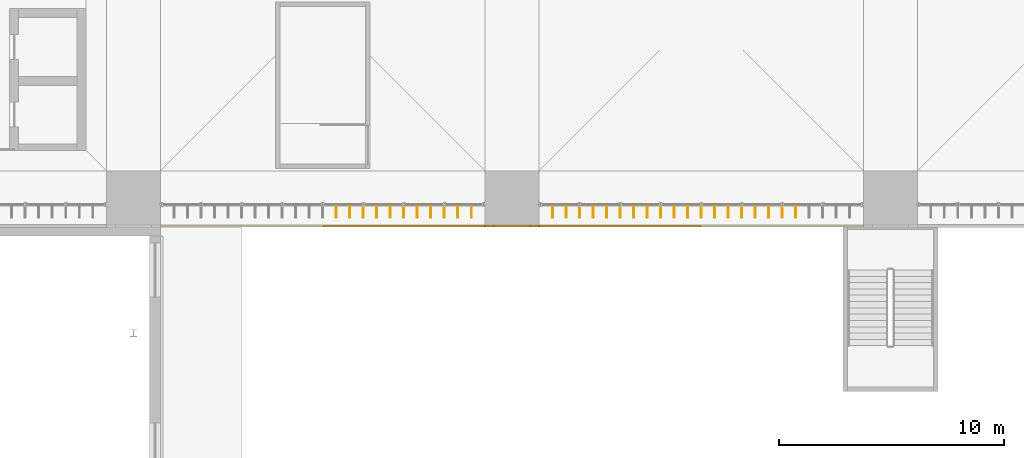
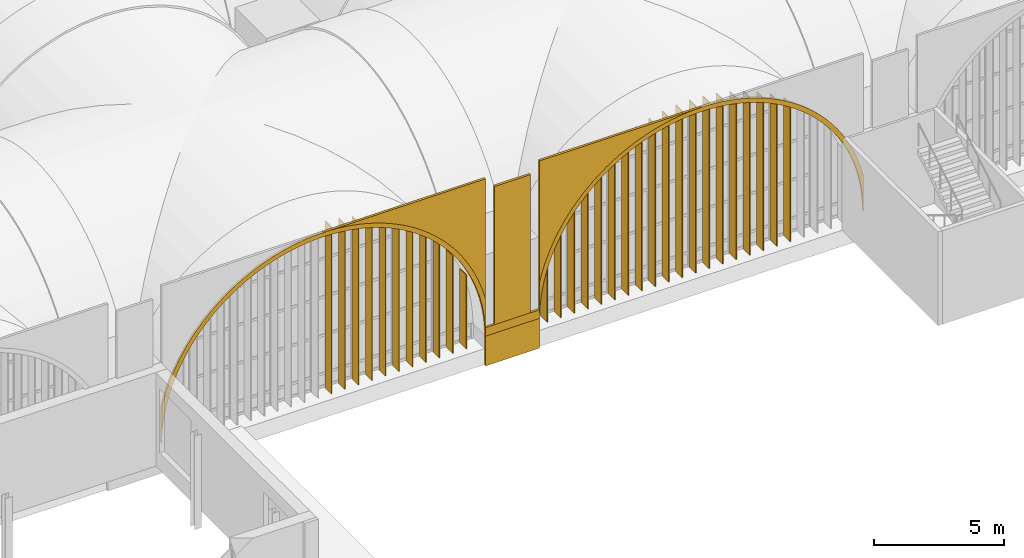
# One storey, part 155 of 169: 30 shading devices, 7 coverings.
"""IFC4 building model written with IfcOpenShell, lengths in metres."""

import ifcopenshell
import ifcopenshell.guid

model = None  # the IFC model being written
_history = None  # IfcOwnerHistory: only IFC2X3 demands one
_inside = {}  # id of a spatial element -> (the spatial element, [elements in it])
_under = {}  # id of a project, library or spatial element -> (it, [spatial elements below it])
_declared = {}  # id of a project -> (the project, [libraries it declares])
_typed = {}  # id of a type object -> (the type object, [elements of that type])
_made_of = {}  # id of a material, layer set ... -> (it, [elements and type objects made of it])


def new_model(schema):
    """Start an empty IFC model of exactly this schema.

    Asked for "IFC4X3", IfcOpenShell would pick the latest addendum, in which some entities
    have other attributes; the version numbers below select the first issue.
    IFC2X3 requires an IfcOwnerHistory on every rooted entity: one is made here for all.
    """
    global model, _history
    if schema == "IFC4X3":
        model = ifcopenshell.file(schema_version=(4, 3, 0, 0))
    else:
        model = ifcopenshell.file(schema=schema)
    _inside.clear()
    _under.clear()
    _declared.clear()
    _typed.clear()
    _made_of.clear()
    _history = None
    if model.schema == "IFC2X3":
        org = make("IfcOrganization", Name="unknown")
        user = make(
            "IfcPersonAndOrganization",
            ThePerson=make("IfcPerson", FamilyName="unknown"),
            TheOrganization=org,
        )
        app = make(
            "IfcApplication",
            ApplicationDeveloper=org,
            Version="unknown",
            ApplicationFullName="unknown",
            ApplicationIdentifier="unknown",
        )
        _history = make(
            "IfcOwnerHistory",
            OwningUser=user,
            OwningApplication=app,
            ChangeAction="ADDED",
            CreationDate=0,
        )
    return model


def make(cls, **values):
    """One entity of the class cls with the attributes given. An attribute that is None is left unset."""
    return model.create_entity(
        cls, **{name: value for name, value in values.items() if value is not None}
    )


def rooted(cls, **values):
    """An entity with a GlobalId (a new one), such as an element, a storey or a relation."""
    return make(cls, GlobalId=ifcopenshell.guid.new(), OwnerHistory=_history, **values)


def si_unit(unit_type, name, prefix=None):
    """IfcSIUnit, for example si_unit("LENGTHUNIT", "METRE", prefix="MILLI")."""
    return make("IfcSIUnit", UnitType=unit_type, Prefix=prefix, Name=name)


def assignment(units):
    """IfcUnitAssignment: the units of a project."""
    return None if units is None else make("IfcUnitAssignment", Units=units)


def point(xyz):
    """IfcCartesianPoint."""
    return None if xyz is None else make("IfcCartesianPoint", Coordinates=xyz)


def direction(xyz):
    """IfcDirection."""
    return None if xyz is None else make("IfcDirection", DirectionRatios=xyz)


def frame(location, z_axis=None, x_axis=None):
    """IfcAxis2Placement3D, a coordinate frame: its origin and axes. An axis left out is left unset."""
    return make(
        "IfcAxis2Placement3D",
        Location=point(location),
        Axis=direction(z_axis),
        RefDirection=direction(x_axis),
    )


def frame_2d(location, x_axis=None):
    """IfcAxis2Placement2D, a coordinate frame in the plane: its origin and x axis."""
    return make(
        "IfcAxis2Placement2D", Location=point(location), RefDirection=direction(x_axis)
    )


def origin():
    """The frame at (0, 0, 0) with its axes left unset."""
    return frame((0.0, 0.0, 0.0))


def origin_2d():
    """The frame at (0, 0) in the plane with its x axis left unset."""
    return frame_2d((0.0, 0.0))


def place(relative_to, where):
    """IfcLocalPlacement: puts the frame where relative to a parent placement (None: the world)."""
    return make(
        "IfcLocalPlacement", PlacementRelTo=relative_to, RelativePlacement=where
    )


def context(
    kind, dimensions, precision=None, world=None, true_north=None, identifier=None
):
    """IfcGeometricRepresentationContext, for example the 3D "Model" context."""
    return make(
        "IfcGeometricRepresentationContext",
        ContextIdentifier=identifier,
        ContextType=kind,
        CoordinateSpaceDimension=dimensions,
        Precision=precision,
        WorldCoordinateSystem=world,
        TrueNorth=true_north,
    )


def subcontext(parent, identifier, kind, view, scale=None):
    """IfcGeometricRepresentationSubContext, for example "Body" below "Model"."""
    return make(
        "IfcGeometricRepresentationSubContext",
        ContextIdentifier=identifier,
        ContextType=kind,
        ParentContext=parent,
        TargetScale=scale,
        TargetView=view,
    )


def project(units=None, contexts=None):
    """IfcProject with its units and contexts."""
    return rooted(
        "IfcProject",
        Name="project",
        RepresentationContexts=contexts,
        UnitsInContext=assignment(units),
    )


def spatial(cls, under=None, at=None, **own):
    """A site, building, storey or space (cls), placed at a placement, below another one or the project."""
    s = rooted(cls, ObjectPlacement=at, **own)
    if under is not None:
        _under.setdefault(under.id(), (under, []))[1].append(s)
    return s


def polyline(points):
    """IfcPolyline through the points."""
    return make("IfcPolyline", Points=[point(p) for p in points])


def profile(cls, at=None, kind="AREA", **sizes):
    """A parametric profile (cls). Its sizes go by their IFC names, for example OverallWidth=200.0."""
    return make(cls, ProfileType=kind, Position=at, **sizes)


def rectangle(**sizes):
    """IfcRectangleProfileDef."""
    return profile("IfcRectangleProfileDef", **sizes)


def outline(outer, holes=None, kind="AREA"):
    """IfcArbitraryClosedProfileDef: a profile drawn as a closed curve; with holes, ...WithVoids."""
    if holes is None:
        return make("IfcArbitraryClosedProfileDef", ProfileType=kind, OuterCurve=outer)
    return make(
        "IfcArbitraryProfileDefWithVoids",
        ProfileType=kind,
        OuterCurve=outer,
        InnerCurves=holes,
    )


def extrude(swept, where, along, depth):
    """IfcExtrudedAreaSolid: the profile swept, set in the frame where, extruded along a direction by depth."""
    return make(
        "IfcExtrudedAreaSolid",
        SweptArea=swept,
        Position=where,
        ExtrudedDirection=direction(along),
        Depth=depth,
    )


def shape(context_of_items, identifier, shape_type, items):
    """IfcShapeRepresentation: the items that make up one representation, for example the "Body"."""
    return make(
        "IfcShapeRepresentation",
        ContextOfItems=context_of_items,
        RepresentationIdentifier=identifier,
        RepresentationType=shape_type,
        Items=items,
    )


def material(Name=None, Category=None):
    """IfcMaterial."""
    return make("IfcMaterial", Name=Name, Category=Category)


def layer(
    of_material, thickness, ventilated=None, Name=None, Category=None, Priority=None
):
    """IfcMaterialLayer: one layer of a wall or slab, of a material (None: an air gap)."""
    return make(
        "IfcMaterialLayer",
        Material=of_material,
        LayerThickness=thickness,
        IsVentilated=ventilated,
        Name=Name,
        Category=Category,
        Priority=Priority,
    )


def layer_set(layers, Name=None):
    """IfcMaterialLayerSet."""
    return make("IfcMaterialLayerSet", MaterialLayers=layers, LayerSetName=Name)


def made_of(thing, what):
    """Note that an element or type object is made of a material, layer set ...; save() writes the relation."""
    if what is not None:
        _made_of.setdefault(what.id(), (what, []))[1].append(thing)
    return thing


def type_object(cls, material=None, **own):
    """A type object (cls), such as IfcWallType, which elements share."""
    return made_of(rooted(cls, **own), material)


def element(
    cls,
    number,
    at=None,
    inside=None,
    cuts=None,
    type_object=None,
    material=None,
    context=None,
    identifier="Body",
    shape_type=None,
    held_by="IfcProductDefinitionShape",
    body=None,
    shapes=None,
    **own,
):
    """One element of the class cls, such as IfcWall. Its Tag is "e" and its number.

    at: its placement. inside: the storey or other place that contains it. cuts: it is an
    opening in that element (IfcRelVoidsElement). A single representation is given by context,
    identifier, shape_type and body (its items); several are given by shapes. held_by: the class
    of the entity that holds the representations. save() writes the other relations.
    """
    e = rooted(cls, Tag="e%d" % number, ObjectPlacement=at, **own)
    if body is not None:
        shapes = [shape(context, identifier, shape_type, body)]
    if shapes is not None:
        e.Representation = make(held_by, Representations=shapes)
    if inside is not None:
        _inside.setdefault(inside.id(), (inside, []))[1].append(e)
    if cuts is not None:
        rooted(
            "IfcRelVoidsElement", RelatingBuildingElement=cuts, RelatedOpeningElement=e
        )
    if type_object is not None:
        _typed.setdefault(type_object.id(), (type_object, []))[1].append(e)
    return made_of(e, material)


def aggregate(whole, parts):
    """IfcRelAggregates: a whole, such as a stair, and the parts it consists of."""
    return rooted("IfcRelAggregates", RelatingObject=whole, RelatedObjects=parts)


def save(model, path):
    """Write the relations noted so far, then the file.

    IfcRelAggregates (storeys below a building ...), IfcRelContainedInSpatialStructure (elements
    in a storey), IfcRelDefinesByType, IfcRelAssociatesMaterial and IfcRelDeclares: one each for
    every whole, place, type object, material and project.
    """
    for whole, parts in _under.values():
        aggregate(whole, parts)
    for where, things in _inside.values():
        rooted(
            "IfcRelContainedInSpatialStructure",
            RelatedElements=things,
            RelatingStructure=where,
        )
    for kind, things in _typed.values():
        rooted("IfcRelDefinesByType", RelatedObjects=things, RelatingType=kind)
    for what, things in _made_of.values():
        rooted("IfcRelAssociatesMaterial", RelatedObjects=things, RelatingMaterial=what)
    for by, libraries in _declared.values():
        rooted("IfcRelDeclares", RelatingContext=by, RelatedDefinitions=libraries)
    model.write(path)


model = new_model("IFC4")

# Units and contexts
model_context = context("Model", 3, precision=1e-05, world=origin(), true_north=direction((0.0, 1.0)))
body_context = subcontext(model_context, "Body", "Model", "MODEL_VIEW")
ifc_project = project(units=[si_unit("LENGTHUNIT", "METRE"), si_unit("AREAUNIT", "SQUARE_METRE"), si_unit("VOLUMEUNIT", "CUBIC_METRE"), si_unit("PLANEANGLEUNIT", "RADIAN"), si_unit("MASSUNIT", "GRAM", prefix="KILO")], contexts=[model_context])

# Site, building, storey
site_placement = place(None, origin())
site = spatial("IfcSite", under=ifc_project, at=site_placement, CompositionType="ELEMENT")
building_placement = place(site_placement, origin())
building = spatial("IfcBuilding", under=site, at=building_placement, Name="Verrick Yard Athletic Hall", CompositionType="ELEMENT")
storey_placement = place(building_placement, frame((0.0, 0.0, 4.39990234375)))
storey = spatial("IfcBuildingStorey", under=building, at=storey_placement, Name="L01", CompositionType="ELEMENT", Elevation=4.39990234375)

# Shading devices
ifc_material_1 = material(Name="Anodised aluminium", Category="aluminium")
ifc_layer_1 = layer(ifc_material_1, 0.0400390625)
ifc_layer_set_1 = layer_set([ifc_layer_1], Name="Arcade fin")
shading_device_type = type_object("IfcShadingDeviceType", Name="Arcade fin", PredefinedType="USERDEFINED", material=ifc_layer_set_1)
shading_device_1_placement = place(storey_placement, frame((116.199951171875, 18.82373046875, 0.0), z_axis=(0.0, 0.0, 1.0), x_axis=(0.0, -1.0, 0.0)))
element("IfcShadingDevice", 1, at=shading_device_1_placement, inside=storey, type_object=shading_device_type, Name="Fin RS5.13", ObjectType="FIN", PredefinedType="USERDEFINED", context=body_context, shape_type="SweptSolid", body=[
    extrude(outline(polyline([(0.0, 0.0), (0.5, 0.0), (0.5, 7.82275390625), (0.0, 7.82275390625), (0.0, 0.0)])), frame((0.0, 0.02001953125, 0.0), z_axis=(0.0, -1.0, 0.0), x_axis=(1.0, 0.0, 0.0)), (0.0, 0.0, 1.0), 0.0400390625),
])
shading_device_2_placement = place(storey_placement, frame((116.800048828125, 18.82373046875, 0.0), z_axis=(0.0, 0.0, 1.0), x_axis=(0.0, -1.0, 0.0)))
element("IfcShadingDevice", 2, at=shading_device_2_placement, inside=storey, type_object=shading_device_type, Name="Fin RS5.14", ObjectType="FIN", PredefinedType="USERDEFINED", context=body_context, shape_type="SweptSolid", body=[
    extrude(outline(polyline([(0.0, 0.0), (0.5, 0.0), (0.5, 7.744873046875), (0.0, 7.744873046875), (0.0, 0.0)])), frame((0.0, 0.02001953125, 0.0), z_axis=(0.0, -1.0, 0.0), x_axis=(1.0, 0.0, 0.0)), (0.0, 0.0, 1.0), 0.0400390625),
])
shading_device_3_placement = place(storey_placement, frame((117.39990234375, 18.82373046875, 0.0), z_axis=(0.0, 0.0, 1.0), x_axis=(0.0, -1.0, 0.0)))
element("IfcShadingDevice", 3, at=shading_device_3_placement, inside=storey, type_object=shading_device_type, Name="Fin RS5.15", ObjectType="FIN", PredefinedType="USERDEFINED", context=body_context, shape_type="SweptSolid", body=[
    extrude(outline(polyline([(0.0, 0.0), (0.5, 0.0), (0.5, 7.614990234375), (0.0, 7.614990234375), (0.0, 0.0)])), frame((0.0, 0.02001953125, 0.0), z_axis=(0.0, -1.0, 0.0), x_axis=(1.0, 0.0, 0.0)), (0.0, 0.0, 1.0), 0.0400390625),
])
shading_device_4_placement = place(storey_placement, frame((118.0, 18.82373046875, 0.0), z_axis=(0.0, 0.0, 1.0), x_axis=(0.0, -1.0, 0.0)))
element("IfcShadingDevice", 4, at=shading_device_4_placement, inside=storey, type_object=shading_device_type, Name="Fin RS5.16", ObjectType="FIN", PredefinedType="USERDEFINED", context=body_context, shape_type="SweptSolid", body=[
    extrude(outline(polyline([(0.0, 0.0), (0.5, 0.0), (0.5, 7.4296875), (0.0, 7.4296875), (0.0, 0.0)])), frame((0.0, 0.02001953125, 0.0), z_axis=(0.0, -1.0, 0.0), x_axis=(1.0, 0.0, 0.0)), (0.0, 0.0, 1.0), 0.0400390625),
])
shading_device_5_placement = place(storey_placement, frame((118.60009765625, 18.82373046875, 0.0), z_axis=(0.0, 0.0, 1.0), x_axis=(0.0, -1.0, 0.0)))
element("IfcShadingDevice", 5, at=shading_device_5_placement, inside=storey, type_object=shading_device_type, Name="Fin RS5.17", ObjectType="FIN", PredefinedType="USERDEFINED", context=body_context, shape_type="SweptSolid", body=[
    extrude(outline(polyline([(0.0, 0.0), (0.5, 0.0), (0.5, 7.18505859375), (0.0, 7.18505859375), (0.0, 0.0)])), frame((0.0, 0.02001953125, 0.0), z_axis=(0.0, -1.0, 0.0), x_axis=(1.0, 0.0, 0.0)), (0.0, 0.0, 1.0), 0.0400390625),
])
shading_device_6_placement = place(storey_placement, frame((119.199951171875, 18.82373046875, 0.0), z_axis=(0.0, 0.0, 1.0), x_axis=(0.0, -1.0, 0.0)))
element("IfcShadingDevice", 6, at=shading_device_6_placement, inside=storey, type_object=shading_device_type, Name="Fin RS5.18", ObjectType="FIN", PredefinedType="USERDEFINED", context=body_context, shape_type="SweptSolid", body=[
    extrude(outline(polyline([(0.0, 0.0), (0.5, 0.0), (0.5, 6.872802734375), (0.0, 6.872802734375), (0.0, 0.0)])), frame((0.0, 0.02001953125, 0.0), z_axis=(0.0, -1.0, 0.0), x_axis=(1.0, 0.0, 0.0)), (0.0, 0.0, 1.0), 0.0400390625),
])
shading_device_7_placement = place(storey_placement, frame((119.800048828125, 18.82373046875, 0.0), z_axis=(0.0, 0.0, 1.0), x_axis=(0.0, -1.0, 0.0)))
element("IfcShadingDevice", 7, at=shading_device_7_placement, inside=storey, type_object=shading_device_type, Name="Fin RS5.19", ObjectType="FIN", PredefinedType="USERDEFINED", context=body_context, shape_type="SweptSolid", body=[
    extrude(outline(polyline([(0.0, 0.0), (0.5, 0.0), (0.5, 6.481201171875), (0.0, 6.481201171875), (0.0, 0.0)])), frame((0.0, 0.02001953125, 0.0), z_axis=(0.0, -1.0, 0.0), x_axis=(1.0, 0.0, 0.0)), (0.0, 0.0, 1.0), 0.0400390625),
])
shading_device_8_placement = place(storey_placement, frame((120.39990234375, 18.82373046875, 0.0), z_axis=(0.0, 0.0, 1.0), x_axis=(0.0, -1.0, 0.0)))
element("IfcShadingDevice", 8, at=shading_device_8_placement, inside=storey, type_object=shading_device_type, Name="Fin RS5.20", ObjectType="FIN", PredefinedType="USERDEFINED", context=body_context, shape_type="SweptSolid", body=[
    extrude(outline(polyline([(0.0, 0.0), (0.5, 0.0), (0.5, 5.996826171875), (0.0, 5.996826171875), (0.0, 0.0)])), frame((0.0, 0.02001953125, 0.0), z_axis=(0.0, -1.0, 0.0), x_axis=(1.0, 0.0, 0.0)), (0.0, 0.0, 1.0), 0.0400390625),
])
shading_device_9_placement = place(storey_placement, frame((121.0, 18.82373046875, 0.0), z_axis=(0.0, 0.0, 1.0), x_axis=(0.0, -1.0, 0.0)))
element("IfcShadingDevice", 9, at=shading_device_9_placement, inside=storey, type_object=shading_device_type, Name="Fin RS5.21", ObjectType="FIN", PredefinedType="USERDEFINED", context=body_context, shape_type="SweptSolid", body=[
    extrude(outline(polyline([(0.0, 0.0), (0.5, 0.0), (0.5, 5.38671875), (0.0, 5.38671875), (0.0, 0.0)])), frame((0.0, 0.02001953125, 0.0), z_axis=(0.0, -1.0, 0.0), x_axis=(1.0, 0.0, 0.0)), (0.0, 0.0, 1.0), 0.0400390625),
])
shading_device_10_placement = place(storey_placement, frame((121.60009765625, 18.82373046875, 0.0), z_axis=(0.0, 0.0, 1.0), x_axis=(0.0, -1.0, 0.0)))
element("IfcShadingDevice", 10, at=shading_device_10_placement, inside=storey, type_object=shading_device_type, Name="Fin RS5.22", ObjectType="FIN", PredefinedType="USERDEFINED", context=body_context, shape_type="SweptSolid", body=[
    extrude(outline(polyline([(0.0, 0.0), (0.5, 0.0), (0.5, 4.5966796875), (0.0, 4.5966796875), (0.0, 0.0)])), frame((0.0, 0.02001953125, 0.0), z_axis=(0.0, -1.0, 0.0), x_axis=(1.0, 0.0, 0.0)), (0.0, 0.0, 1.0), 0.0400390625),
])
for number, where, z_axis, x_axis, name in (
    (11, (122.199951171875, 18.82373046875, 0.0), (0.0, 0.0, 1.0), (0.0, -1.0, 0.0), "Fin RS5.23"),
    (12, (125.800048828125, 18.82373046875, 0.0), (0.0, 0.0, 1.0), (0.0, -1.0, 0.0), "Fin RS6.1"),
):
    element("IfcShadingDevice", number, at=place(storey_placement, frame(where, z_axis=z_axis, x_axis=x_axis)), inside=storey, type_object=shading_device_type, Name=name, ObjectType="FIN", PredefinedType="USERDEFINED", context=body_context, shape_type="SweptSolid", body=[
        extrude(outline(polyline([(0.0, 0.0), (0.5, 0.0), (0.5, 3.4775390625), (0.0, 3.4775390625), (0.0, 0.0)])), frame((0.0, 0.02001953125, 0.0), z_axis=(0.0, -1.0, 0.0), x_axis=(1.0, 0.0, 0.0)), (0.0, 0.0, 1.0), 0.0400390625),
    ])
shading_device_11_placement = place(storey_placement, frame((126.39990234375, 18.82373046875, 0.0), z_axis=(0.0, 0.0, 1.0), x_axis=(0.0, -1.0, 0.0)))
element("IfcShadingDevice", 13, at=shading_device_11_placement, inside=storey, type_object=shading_device_type, Name="Fin RS6.2", ObjectType="FIN", PredefinedType="USERDEFINED", context=body_context, shape_type="SweptSolid", body=[
    extrude(outline(polyline([(0.0, 0.0), (0.5, 0.0), (0.5, 4.5966796875), (0.0, 4.5966796875), (0.0, 0.0)])), frame((0.0, 0.02001953125, 0.0), z_axis=(0.0, -1.0, 0.0), x_axis=(1.0, 0.0, 0.0)), (0.0, 0.0, 1.0), 0.0400390625),
])
shading_device_12_placement = place(storey_placement, frame((127.0, 18.82373046875, 0.0), z_axis=(0.0, 0.0, 1.0), x_axis=(0.0, -1.0, 0.0)))
element("IfcShadingDevice", 14, at=shading_device_12_placement, inside=storey, type_object=shading_device_type, Name="Fin RS6.3", ObjectType="FIN", PredefinedType="USERDEFINED", context=body_context, shape_type="SweptSolid", body=[
    extrude(outline(polyline([(0.0, 0.0), (0.5, 0.0), (0.5, 5.38671875), (0.0, 5.38671875), (0.0, 0.0)])), frame((0.0, 0.02001953125, 0.0), z_axis=(0.0, -1.0, 0.0), x_axis=(1.0, 0.0, 0.0)), (0.0, 0.0, 1.0), 0.0400390625),
])
shading_device_13_placement = place(storey_placement, frame((127.60009765625, 18.82373046875, 0.0), z_axis=(0.0, 0.0, 1.0), x_axis=(0.0, -1.0, 0.0)))
element("IfcShadingDevice", 15, at=shading_device_13_placement, inside=storey, type_object=shading_device_type, Name="Fin RS6.4", ObjectType="FIN", PredefinedType="USERDEFINED", context=body_context, shape_type="SweptSolid", body=[
    extrude(outline(polyline([(0.0, 0.0), (0.5, 0.0), (0.5, 5.996826171875), (0.0, 5.996826171875), (0.0, 0.0)])), frame((0.0, 0.02001953125, 0.0), z_axis=(0.0, -1.0, 0.0), x_axis=(1.0, 0.0, 0.0)), (0.0, 0.0, 1.0), 0.0400390625),
])
shading_device_14_placement = place(storey_placement, frame((128.199951171875, 18.82373046875, 0.0), z_axis=(0.0, 0.0, 1.0), x_axis=(0.0, -1.0, 0.0)))
element("IfcShadingDevice", 16, at=shading_device_14_placement, inside=storey, type_object=shading_device_type, Name="Fin RS6.5", ObjectType="FIN", PredefinedType="USERDEFINED", context=body_context, shape_type="SweptSolid", body=[
    extrude(outline(polyline([(0.0, 0.0), (0.5, 0.0), (0.5, 6.481201171875), (0.0, 6.481201171875), (0.0, 0.0)])), frame((0.0, 0.02001953125, 0.0), z_axis=(0.0, -1.0, 0.0), x_axis=(1.0, 0.0, 0.0)), (0.0, 0.0, 1.0), 0.0400390625),
])
shading_device_15_placement = place(storey_placement, frame((128.800048828125, 18.82373046875, 0.0), z_axis=(0.0, 0.0, 1.0), x_axis=(0.0, -1.0, 0.0)))
element("IfcShadingDevice", 17, at=shading_device_15_placement, inside=storey, type_object=shading_device_type, Name="Fin RS6.6", ObjectType="FIN", PredefinedType="USERDEFINED", context=body_context, shape_type="SweptSolid", body=[
    extrude(outline(polyline([(0.0, 0.0), (0.5, 0.0), (0.5, 6.872802734375), (0.0, 6.872802734375), (0.0, 0.0)])), frame((0.0, 0.02001953125, 0.0), z_axis=(0.0, -1.0, 0.0), x_axis=(1.0, 0.0, 0.0)), (0.0, 0.0, 1.0), 0.0400390625),
])
shading_device_16_placement = place(storey_placement, frame((129.39990234375, 18.82373046875, 0.0), z_axis=(0.0, 0.0, 1.0), x_axis=(0.0, -1.0, 0.0)))
element("IfcShadingDevice", 18, at=shading_device_16_placement, inside=storey, type_object=shading_device_type, Name="Fin RS6.7", ObjectType="FIN", PredefinedType="USERDEFINED", context=body_context, shape_type="SweptSolid", body=[
    extrude(outline(polyline([(0.0, 0.0), (0.5, 0.0), (0.5, 7.18505859375), (0.0, 7.18505859375), (0.0, 0.0)])), frame((0.0, 0.02001953125, 0.0), z_axis=(0.0, -1.0, 0.0), x_axis=(1.0, 0.0, 0.0)), (0.0, 0.0, 1.0), 0.0400390625),
])
shading_device_17_placement = place(storey_placement, frame((130.0, 18.82373046875, 0.0), z_axis=(0.0, 0.0, 1.0), x_axis=(0.0, -1.0, 0.0)))
element("IfcShadingDevice", 19, at=shading_device_17_placement, inside=storey, type_object=shading_device_type, Name="Fin RS6.8", ObjectType="FIN", PredefinedType="USERDEFINED", context=body_context, shape_type="SweptSolid", body=[
    extrude(outline(polyline([(0.0, 0.0), (0.5, 0.0), (0.5, 7.4296875), (0.0, 7.4296875), (0.0, 0.0)])), frame((0.0, 0.02001953125, 0.0), z_axis=(0.0, -1.0, 0.0), x_axis=(1.0, 0.0, 0.0)), (0.0, 0.0, 1.0), 0.0400390625),
])
shading_device_18_placement = place(storey_placement, frame((130.60009765625, 18.82373046875, 0.0), z_axis=(0.0, 0.0, 1.0), x_axis=(0.0, -1.0, 0.0)))
element("IfcShadingDevice", 20, at=shading_device_18_placement, inside=storey, type_object=shading_device_type, Name="Fin RS6.9", ObjectType="FIN", PredefinedType="USERDEFINED", context=body_context, shape_type="SweptSolid", body=[
    extrude(outline(polyline([(0.0, 0.0), (0.5, 0.0), (0.5, 7.614990234375), (0.0, 7.614990234375), (0.0, 0.0)])), frame((0.0, 0.02001953125, 0.0), z_axis=(0.0, -1.0, 0.0), x_axis=(1.0, 0.0, 0.0)), (0.0, 0.0, 1.0), 0.0400390625),
])
shading_device_19_placement = place(storey_placement, frame((131.199951171875, 18.82373046875, 0.0), z_axis=(0.0, 0.0, 1.0), x_axis=(0.0, -1.0, 0.0)))
element("IfcShadingDevice", 21, at=shading_device_19_placement, inside=storey, type_object=shading_device_type, Name="Fin RS6.10", ObjectType="FIN", PredefinedType="USERDEFINED", context=body_context, shape_type="SweptSolid", body=[
    extrude(outline(polyline([(0.0, 0.0), (0.5, 0.0), (0.5, 7.744873046875), (0.0, 7.744873046875), (0.0, 0.0)])), frame((0.0, 0.02001953125, 0.0), z_axis=(0.0, -1.0, 0.0), x_axis=(1.0, 0.0, 0.0)), (0.0, 0.0, 1.0), 0.0400390625),
])
shading_device_20_placement = place(storey_placement, frame((131.800048828125, 18.82373046875, 0.0), z_axis=(0.0, 0.0, 1.0), x_axis=(0.0, -1.0, 0.0)))
element("IfcShadingDevice", 22, at=shading_device_20_placement, inside=storey, type_object=shading_device_type, Name="Fin RS6.11", ObjectType="FIN", PredefinedType="USERDEFINED", context=body_context, shape_type="SweptSolid", body=[
    extrude(outline(polyline([(0.0, 0.0), (0.5, 0.0), (0.5, 7.82275390625), (0.0, 7.82275390625), (0.0, 0.0)])), frame((0.0, 0.02001953125, 0.0), z_axis=(0.0, -1.0, 0.0), x_axis=(1.0, 0.0, 0.0)), (0.0, 0.0, 1.0), 0.0400390625),
])
shading_device_21_placement = place(storey_placement, frame((132.39990234375, 18.82373046875, 0.0), z_axis=(0.0, 0.0, 1.0), x_axis=(0.0, -1.0, 0.0)))
element("IfcShadingDevice", 23, at=shading_device_21_placement, inside=storey, type_object=shading_device_type, Name="Fin RS6.12", ObjectType="FIN", PredefinedType="USERDEFINED", context=body_context, shape_type="SweptSolid", body=[
    extrude(outline(polyline([(0.0, 0.0), (0.5, 0.0), (0.5, 7.84912109375), (0.0, 7.84912109375), (0.0, 0.0)])), frame((0.0, 0.02001953125, 0.0), z_axis=(0.0, -1.0, 0.0), x_axis=(1.0, 0.0, 0.0)), (0.0, 0.0, 1.0), 0.0400390625),
])
shading_device_22_placement = place(storey_placement, frame((133.0, 18.82373046875, 0.0), z_axis=(0.0, 0.0, 1.0), x_axis=(0.0, -1.0, 0.0)))
element("IfcShadingDevice", 24, at=shading_device_22_placement, inside=storey, type_object=shading_device_type, Name="Fin RS6.13", ObjectType="FIN", PredefinedType="USERDEFINED", context=body_context, shape_type="SweptSolid", body=[
    extrude(outline(polyline([(0.0, 0.0), (0.5, 0.0), (0.5, 7.82275390625), (0.0, 7.82275390625), (0.0, 0.0)])), frame((0.0, 0.02001953125, 0.0), z_axis=(0.0, -1.0, 0.0), x_axis=(1.0, 0.0, 0.0)), (0.0, 0.0, 1.0), 0.0400390625),
])
shading_device_23_placement = place(storey_placement, frame((133.60009765625, 18.82373046875, 0.0), z_axis=(0.0, 0.0, 1.0), x_axis=(0.0, -1.0, 0.0)))
element("IfcShadingDevice", 25, at=shading_device_23_placement, inside=storey, type_object=shading_device_type, Name="Fin RS6.14", ObjectType="FIN", PredefinedType="USERDEFINED", context=body_context, shape_type="SweptSolid", body=[
    extrude(outline(polyline([(0.0, 0.0), (0.5, 0.0), (0.5, 7.744873046875), (0.0, 7.744873046875), (0.0, 0.0)])), frame((0.0, 0.02001953125, 0.0), z_axis=(0.0, -1.0, 0.0), x_axis=(1.0, 0.0, 0.0)), (0.0, 0.0, 1.0), 0.0400390625),
])
shading_device_24_placement = place(storey_placement, frame((134.199951171875, 18.82373046875, 0.0), z_axis=(0.0, 0.0, 1.0), x_axis=(0.0, -1.0, 0.0)))
element("IfcShadingDevice", 26, at=shading_device_24_placement, inside=storey, type_object=shading_device_type, Name="Fin RS6.15", ObjectType="FIN", PredefinedType="USERDEFINED", context=body_context, shape_type="SweptSolid", body=[
    extrude(outline(polyline([(0.0, 0.0), (0.5, 0.0), (0.5, 7.614990234375), (0.0, 7.614990234375), (0.0, 0.0)])), frame((0.0, 0.02001953125, 0.0), z_axis=(0.0, -1.0, 0.0), x_axis=(1.0, 0.0, 0.0)), (0.0, 0.0, 1.0), 0.0400390625),
])
shading_device_25_placement = place(storey_placement, frame((134.800048828125, 18.82373046875, 0.0), z_axis=(0.0, 0.0, 1.0), x_axis=(0.0, -1.0, 0.0)))
element("IfcShadingDevice", 27, at=shading_device_25_placement, inside=storey, type_object=shading_device_type, Name="Fin RS6.16", ObjectType="FIN", PredefinedType="USERDEFINED", context=body_context, shape_type="SweptSolid", body=[
    extrude(outline(polyline([(0.0, 0.0), (0.5, 0.0), (0.5, 7.4296875), (0.0, 7.4296875), (0.0, 0.0)])), frame((0.0, 0.02001953125, 0.0), z_axis=(0.0, -1.0, 0.0), x_axis=(1.0, 0.0, 0.0)), (0.0, 0.0, 1.0), 0.0400390625),
])
shading_device_26_placement = place(storey_placement, frame((135.39990234375, 18.82373046875, 0.0), z_axis=(0.0, 0.0, 1.0), x_axis=(0.0, -1.0, 0.0)))
element("IfcShadingDevice", 28, at=shading_device_26_placement, inside=storey, type_object=shading_device_type, Name="Fin RS6.17", ObjectType="FIN", PredefinedType="USERDEFINED", context=body_context, shape_type="SweptSolid", body=[
    extrude(outline(polyline([(0.0, 0.0), (0.5, 0.0), (0.5, 7.18505859375), (0.0, 7.18505859375), (0.0, 0.0)])), frame((0.0, 0.02001953125, 0.0), z_axis=(0.0, -1.0, 0.0), x_axis=(1.0, 0.0, 0.0)), (0.0, 0.0, 1.0), 0.0400390625),
])
shading_device_27_placement = place(storey_placement, frame((136.0, 18.82373046875, 0.0), z_axis=(0.0, 0.0, 1.0), x_axis=(0.0, -1.0, 0.0)))
element("IfcShadingDevice", 29, at=shading_device_27_placement, inside=storey, type_object=shading_device_type, Name="Fin RS6.18", ObjectType="FIN", PredefinedType="USERDEFINED", context=body_context, shape_type="SweptSolid", body=[
    extrude(outline(polyline([(0.0, 0.0), (0.5, 0.0), (0.5, 6.872802734375), (0.0, 6.872802734375), (0.0, 0.0)])), frame((0.0, 0.02001953125, 0.0), z_axis=(0.0, -1.0, 0.0), x_axis=(1.0, 0.0, 0.0)), (0.0, 0.0, 1.0), 0.0400390625),
])
shading_device_28_placement = place(storey_placement, frame((136.60009765625, 18.82373046875, 0.0), z_axis=(0.0, 0.0, 1.0), x_axis=(0.0, -1.0, 0.0)))
element("IfcShadingDevice", 30, at=shading_device_28_placement, inside=storey, type_object=shading_device_type, Name="Fin RS6.19", ObjectType="FIN", PredefinedType="USERDEFINED", context=body_context, shape_type="SweptSolid", body=[
    extrude(outline(polyline([(0.0, 0.0), (0.5, 0.0), (0.5, 6.481201171875), (0.0, 6.481201171875), (0.0, 0.0)])), frame((0.0, 0.02001953125, 0.0), z_axis=(0.0, -1.0, 0.0), x_axis=(1.0, 0.0, 0.0)), (0.0, 0.0, 1.0), 0.0400390625),
])

# Coverings
ifc_material_2 = material(Name="Limestone cladding", Category="masonry")
ifc_layer_2 = layer(ifc_material_2, 0.10009765625)
ifc_layer_set_2 = layer_set([ifc_layer_2], Name="Arch ring cladding")
covering_type_1 = type_object("IfcCoveringType", Name="Arch ring cladding", PredefinedType="CLADDING", material=ifc_layer_set_2)
covering_1_placement = place(storey_placement, frame((108.39990234375, 17.949951171875, 0.650146484375), z_axis=(0.0, 0.0, 1.0), x_axis=(1.0, 0.0, 0.0)))
element("IfcCovering", 31, at=covering_1_placement, inside=storey, type_object=covering_type_1, Name="Arch ring RS5", PredefinedType="CLADDING", context=body_context, shape_type="SweptSolid", body=[
    extrude(outline(polyline([(0.0, 1.7021484375), (0.0, 0.0), (0.0068359375, 0.31396484375), (0.02734375, 0.62744140625), (0.0615234375, 0.939697265625), (0.109375, 1.250244140625), (0.170654296875, 1.558349609375), (0.245361328125, 1.863525390625), (0.333251953125, 2.1650390625), (0.43408203125, 2.46240234375), (0.548095703125, 2.75537109375), (0.674560546875, 3.04296875), (0.8134765625, 3.324462890625), (0.964599609375, 3.599853515625), (1.127685546875, 3.86865234375), (1.302001953125, 4.129638671875), (1.48779296875, 4.383056640625), (1.6845703125, 4.6279296875), (1.8916015625, 4.8642578125), (2.10888671875, 5.091064453125), (2.335693359375, 5.308349609375), (2.572021484375, 5.515380859375), (2.81689453125, 5.712158203125), (3.0703125, 5.89794921875), (3.331298828125, 6.072265625), (3.60009765625, 6.2353515625), (3.87548828125, 6.386474609375), (4.156982421875, 6.525390625), (4.444580078125, 6.65185546875), (4.737548828125, 6.765869140625), (5.034912109375, 6.86669921875), (5.33642578125, 6.95458984375), (5.6416015625, 7.029296875), (5.94970703125, 7.090576171875), (6.26025390625, 7.138427734375), (6.572509765625, 7.172607421875), (6.885986328125, 7.193115234375), (7.199951171875, 7.199951171875), (7.51416015625, 7.193115234375), (7.827392578125, 7.172607421875), (8.139892578125, 7.138427734375), (8.4501953125, 7.090576171875), (8.75830078125, 7.029296875), (9.0634765625, 6.95458984375), (9.364990234375, 6.86669921875), (9.66259765625, 6.765869140625), (9.955322265625, 6.65185546875), (10.242919921875, 6.525390625), (10.524658203125, 6.386474609375), (10.800048828125, 6.2353515625), (11.068603515625, 6.072265625), (11.329833984375, 5.89794921875), (11.5830078125, 5.712158203125), (11.828125, 5.515380859375), (12.064208984375, 5.308349609375), (12.291259765625, 5.091064453125), (12.50830078125, 4.8642578125), (12.715576171875, 4.6279296875), (12.912109375, 4.383056640625), (13.097900390625, 4.129638671875), (13.2724609375, 3.86865234375), (13.435302734375, 3.599853515625), (13.58642578125, 3.324462890625), (13.725341796875, 3.04296875), (13.851806640625, 2.75537109375), (13.9658203125, 2.46240234375), (14.06689453125, 2.1650390625), (14.15478515625, 1.863525390625), (14.229248046875, 1.558349609375), (14.29052734375, 1.250244140625), (14.33837890625, 0.939697265625), (14.37255859375, 0.62744140625), (14.39306640625, 0.31396484375), (14.39990234375, 0.0), (14.39990234375, 1.7021484375), (14.347900390625, 1.915283203125), (14.257568359375, 2.22509765625), (14.15380859375, 2.53076171875), (14.03662109375, 2.831787109375), (13.90673828125, 3.12744140625), (13.763916015625, 3.416748046875), (13.608642578125, 3.699951171875), (13.441162109375, 3.975830078125), (13.26171875, 4.244384765625), (13.07080078125, 4.504638671875), (12.86865234375, 4.756591796875), (12.656005859375, 4.999267578125), (12.4326171875, 5.232666015625), (12.199462890625, 5.455810546875), (11.95654296875, 5.668701171875), (11.704833984375, 5.870849609375), (11.444580078125, 6.061767578125), (11.176025390625, 6.240966796875), (10.89990234375, 6.408447265625), (10.616943359375, 6.56396484375), (10.327392578125, 6.70654296875), (10.031982421875, 6.836669921875), (9.73095703125, 6.95361328125), (9.42529296875, 7.057373046875), (9.115234375, 7.14794921875), (8.8017578125, 7.224609375), (8.485107421875, 7.28759765625), (8.166015625, 7.336669921875), (7.844970703125, 7.371826171875), (7.522705078125, 7.39306640625), (7.199951171875, 7.39990234375), (6.877197265625, 7.39306640625), (6.554931640625, 7.371826171875), (6.234130859375, 7.336669921875), (5.9150390625, 7.28759765625), (5.598388671875, 7.224609375), (5.28466796875, 7.14794921875), (4.974853515625, 7.057373046875), (4.669189453125, 6.95361328125), (4.3681640625, 6.836669921875), (4.072509765625, 6.70654296875), (3.783203125, 6.56396484375), (3.5, 6.408447265625), (3.22412109375, 6.240966796875), (2.95556640625, 6.061767578125), (2.6953125, 5.870849609375), (2.443359375, 5.668701171875), (2.20068359375, 5.455810546875), (1.96728515625, 5.232666015625), (1.744140625, 4.999267578125), (1.53125, 4.756591796875), (1.3291015625, 4.504638671875), (1.13818359375, 4.244384765625), (0.958984375, 3.975830078125), (0.79150390625, 3.699951171875), (0.635986328125, 3.416748046875), (0.493408203125, 3.12744140625), (0.36328125, 2.831787109375), (0.246337890625, 2.53076171875), (0.142578125, 2.22509765625), (0.052001953125, 1.915283203125), (0.0, 1.7021484375)])), frame((0.0, 0.050048828125, 0.0), z_axis=(0.0, -1.0, 0.0), x_axis=(1.0, 0.0, 0.0)), (0.0, 0.0, 1.0), 0.10009765625),
])
covering_2_placement = place(storey_placement, frame((125.199951171875, 17.949951171875, 0.650146484375), z_axis=(0.0, 0.0, 1.0), x_axis=(1.0, 0.0, 0.0)))
element("IfcCovering", 32, at=covering_2_placement, inside=storey, type_object=covering_type_1, Name="Arch ring RS6", PredefinedType="CLADDING", context=body_context, shape_type="SweptSolid", body=[
    extrude(outline(polyline([(0.0, 1.7021484375), (0.0, 0.0), (0.0068359375, 0.31396484375), (0.02734375, 0.62744140625), (0.0615234375, 0.939697265625), (0.109375, 1.250244140625), (0.170654296875, 1.558349609375), (0.245361328125, 1.863525390625), (0.333251953125, 2.1650390625), (0.43408203125, 2.46240234375), (0.548095703125, 2.75537109375), (0.674560546875, 3.04296875), (0.8134765625, 3.324462890625), (0.964599609375, 3.599853515625), (1.127685546875, 3.86865234375), (1.302001953125, 4.129638671875), (1.48779296875, 4.383056640625), (1.6845703125, 4.6279296875), (1.8916015625, 4.8642578125), (2.10888671875, 5.091064453125), (2.335693359375, 5.308349609375), (2.572021484375, 5.515380859375), (2.81689453125, 5.712158203125), (3.0703125, 5.89794921875), (3.331298828125, 6.072265625), (3.60009765625, 6.2353515625), (3.87548828125, 6.386474609375), (4.156982421875, 6.525390625), (4.444580078125, 6.65185546875), (4.737548828125, 6.765869140625), (5.034912109375, 6.86669921875), (5.33642578125, 6.95458984375), (5.6416015625, 7.029296875), (5.94970703125, 7.090576171875), (6.26025390625, 7.138427734375), (6.572509765625, 7.172607421875), (6.885986328125, 7.193115234375), (7.199951171875, 7.199951171875), (7.51416015625, 7.193115234375), (7.827392578125, 7.172607421875), (8.139892578125, 7.138427734375), (8.4501953125, 7.090576171875), (8.75830078125, 7.029296875), (9.0634765625, 6.95458984375), (9.364990234375, 6.86669921875), (9.66259765625, 6.765869140625), (9.955322265625, 6.65185546875), (10.242919921875, 6.525390625), (10.524658203125, 6.386474609375), (10.800048828125, 6.2353515625), (11.068603515625, 6.072265625), (11.329833984375, 5.89794921875), (11.5830078125, 5.712158203125), (11.828125, 5.515380859375), (12.064208984375, 5.308349609375), (12.291259765625, 5.091064453125), (12.50830078125, 4.8642578125), (12.715576171875, 4.6279296875), (12.912109375, 4.383056640625), (13.097900390625, 4.129638671875), (13.2724609375, 3.86865234375), (13.435302734375, 3.599853515625), (13.58642578125, 3.324462890625), (13.725341796875, 3.04296875), (13.851806640625, 2.75537109375), (13.9658203125, 2.46240234375), (14.06689453125, 2.1650390625), (14.15478515625, 1.863525390625), (14.229248046875, 1.558349609375), (14.29052734375, 1.250244140625), (14.33837890625, 0.939697265625), (14.37255859375, 0.62744140625), (14.39306640625, 0.31396484375), (14.39990234375, 0.0), (14.39990234375, 1.7021484375), (14.347900390625, 1.915283203125), (14.257568359375, 2.22509765625), (14.15380859375, 2.53076171875), (14.03662109375, 2.831787109375), (13.90673828125, 3.12744140625), (13.763916015625, 3.416748046875), (13.608642578125, 3.699951171875), (13.441162109375, 3.975830078125), (13.26171875, 4.244384765625), (13.07080078125, 4.504638671875), (12.86865234375, 4.756591796875), (12.656005859375, 4.999267578125), (12.4326171875, 5.232666015625), (12.199462890625, 5.455810546875), (11.95654296875, 5.668701171875), (11.704833984375, 5.870849609375), (11.444580078125, 6.061767578125), (11.176025390625, 6.240966796875), (10.89990234375, 6.408447265625), (10.616943359375, 6.56396484375), (10.327392578125, 6.70654296875), (10.031982421875, 6.836669921875), (9.73095703125, 6.95361328125), (9.42529296875, 7.057373046875), (9.115234375, 7.14794921875), (8.8017578125, 7.224609375), (8.485107421875, 7.28759765625), (8.166015625, 7.336669921875), (7.844970703125, 7.371826171875), (7.522705078125, 7.39306640625), (7.199951171875, 7.39990234375), (6.877197265625, 7.39306640625), (6.554931640625, 7.371826171875), (6.234130859375, 7.336669921875), (5.9150390625, 7.28759765625), (5.598388671875, 7.224609375), (5.28466796875, 7.14794921875), (4.974853515625, 7.057373046875), (4.669189453125, 6.95361328125), (4.3681640625, 6.836669921875), (4.072509765625, 6.70654296875), (3.783203125, 6.56396484375), (3.5, 6.408447265625), (3.22412109375, 6.240966796875), (2.95556640625, 6.061767578125), (2.6953125, 5.870849609375), (2.443359375, 5.668701171875), (2.20068359375, 5.455810546875), (1.96728515625, 5.232666015625), (1.744140625, 4.999267578125), (1.53125, 4.756591796875), (1.3291015625, 4.504638671875), (1.13818359375, 4.244384765625), (0.958984375, 3.975830078125), (0.79150390625, 3.699951171875), (0.635986328125, 3.416748046875), (0.493408203125, 3.12744140625), (0.36328125, 2.831787109375), (0.246337890625, 2.53076171875), (0.142578125, 2.22509765625), (0.052001953125, 1.915283203125), (0.0, 1.7021484375)])), frame((0.0, 0.050048828125, 0.0), z_axis=(0.0, -1.0, 0.0), x_axis=(1.0, 0.0, 0.0)), (0.0, 0.0, 1.0), 0.10009765625),
])
ifc_layer_3 = layer(ifc_material_2, 0.10009765625)
ifc_layer_set_3 = layer_set([ifc_layer_3], Name="Impost and capital moulding")
covering_type_2 = type_object("IfcCoveringType", Name="Impost and capital moulding", PredefinedType="MOLDING", material=ifc_layer_set_3)
covering_3_placement = place(storey_placement, frame((124.0, 17.949951171875, 0.650146484375), z_axis=(0.0, 0.0, 1.0), x_axis=(1.0, 0.0, 0.0)))
element("IfcCovering", 33, at=covering_3_placement, inside=storey, type_object=covering_type_2, Name="Impost S6", PredefinedType="MOLDING", context=body_context, shape_type="SweptSolid", body=[
    extrude(rectangle(XDim=2.39990234375, YDim=0.10009765625, at=origin_2d()), origin(), (0.0, 0.0, 1.0), 0.39990234375),
])
ifc_material_3 = material(Name="Rusticated limestone cladding", Category="masonry")
ifc_layer_4 = layer(ifc_material_3, 0.10009765625)
ifc_layer_set_4 = layer_set([ifc_layer_4], Name="Pier base cladding")
covering_type_3 = type_object("IfcCoveringType", Name="Pier base cladding", PredefinedType="CLADDING", material=ifc_layer_set_4)
covering_4_placement = place(storey_placement, frame((124.0, 17.949951171875, -0.749755859375), z_axis=(0.0, 0.0, 1.0), x_axis=(1.0, 0.0, 0.0)))
element("IfcCovering", 34, at=covering_4_placement, inside=storey, type_object=covering_type_3, Name="Pier string S6", PredefinedType="CLADDING", context=body_context, shape_type="SweptSolid", body=[
    extrude(rectangle(XDim=2.39990234375, YDim=0.10009765625, at=origin_2d()), origin(), (0.0, 0.0, 1.0), 1.39990234375),
])
ifc_layer_5 = layer(ifc_material_2, 0.10009765625)
ifc_layer_set_5 = layer_set([ifc_layer_5], Name="Pilaster cladding")
covering_type_4 = type_object("IfcCoveringType", Name="Pilaster cladding", PredefinedType="CLADDING", material=ifc_layer_set_5)
covering_5_placement = place(storey_placement, frame((124.0, 17.949951171875, 1.050048828125), z_axis=(0.0, 0.0, 1.0), x_axis=(1.0, 0.0, 0.0)))
element("IfcCovering", 35, at=covering_5_placement, inside=storey, type_object=covering_type_4, Name="Pilaster S6", PredefinedType="CLADDING", context=body_context, shape_type="SweptSolid", body=[
    extrude(rectangle(XDim=1.60009765625, YDim=0.10009765625, at=origin_2d()), origin(), (0.0, 0.0, 1.0), 6.5),
])
ifc_layer_6 = layer(ifc_material_2, 0.10009765625)
ifc_layer_set_6 = layer_set([ifc_layer_6], Name="Spandrel cladding")
covering_type_5 = type_object("IfcCoveringType", Name="Spandrel cladding", PredefinedType="CLADDING", material=ifc_layer_set_6)
covering_6_placement = place(storey_placement, frame((108.39990234375, 17.949951171875, 2.352294921875), z_axis=(0.0, 0.0, 1.0), x_axis=(1.0, 0.0, 0.0)))
element("IfcCovering", 36, at=covering_6_placement, inside=storey, type_object=covering_type_5, Name="Spandrel RS5.2", PredefinedType="CLADDING", context=body_context, shape_type="SweptSolid", body=[
    extrude(outline(polyline([(7.199951171875, 5.69775390625), (7.522705078125, 5.69091796875), (7.844970703125, 5.669677734375), (8.166015625, 5.634521484375), (8.485107421875, 5.58544921875), (8.8017578125, 5.5224609375), (9.115234375, 5.44580078125), (9.42529296875, 5.355224609375), (9.73095703125, 5.25146484375), (10.031982421875, 5.134521484375), (10.327392578125, 5.00439453125), (10.616943359375, 4.86181640625), (10.89990234375, 4.706298828125), (11.176025390625, 4.538818359375), (11.444580078125, 4.359619140625), (11.704833984375, 4.168701171875), (11.95654296875, 3.966552734375), (12.199462890625, 3.753662109375), (12.4326171875, 3.530517578125), (12.656005859375, 3.297119140625), (12.86865234375, 3.054443359375), (13.07080078125, 2.802490234375), (13.26171875, 2.542236328125), (13.441162109375, 2.273681640625), (13.608642578125, 1.997802734375), (13.763916015625, 1.714599609375), (13.90673828125, 1.42529296875), (14.03662109375, 1.129638671875), (14.15380859375, 0.82861328125), (14.257568359375, 0.52294921875), (14.347900390625, 0.213134765625), (14.39990234375, 0.0), (14.39990234375, 5.69775390625), (7.199951171875, 5.69775390625)])), frame((0.0, 0.050048828125, 0.0), z_axis=(0.0, -1.0, 0.0), x_axis=(1.0, 0.0, 0.0)), (0.0, 0.0, 1.0), 0.10009765625),
])
covering_7_placement = place(storey_placement, frame((125.199951171875, 17.949951171875, 2.352294921875), z_axis=(0.0, 0.0, 1.0), x_axis=(1.0, 0.0, 0.0)))
element("IfcCovering", 37, at=covering_7_placement, inside=storey, type_object=covering_type_5, Name="Spandrel RS6.1", PredefinedType="CLADDING", context=body_context, shape_type="SweptSolid", body=[
    extrude(outline(polyline([(0.0, 0.0), (0.052001953125, 0.213134765625), (0.142578125, 0.52294921875), (0.246337890625, 0.82861328125), (0.36328125, 1.129638671875), (0.493408203125, 1.42529296875), (0.635986328125, 1.714599609375), (0.79150390625, 1.997802734375), (0.958984375, 2.273681640625), (1.13818359375, 2.542236328125), (1.3291015625, 2.802490234375), (1.53125, 3.054443359375), (1.744140625, 3.297119140625), (1.96728515625, 3.530517578125), (2.20068359375, 3.753662109375), (2.443359375, 3.966552734375), (2.6953125, 4.168701171875), (2.95556640625, 4.359619140625), (3.22412109375, 4.538818359375), (3.5, 4.706298828125), (3.783203125, 4.86181640625), (4.072509765625, 5.00439453125), (4.3681640625, 5.134521484375), (4.669189453125, 5.25146484375), (4.974853515625, 5.355224609375), (5.28466796875, 5.44580078125), (5.598388671875, 5.5224609375), (5.9150390625, 5.58544921875), (6.234130859375, 5.634521484375), (6.554931640625, 5.669677734375), (6.877197265625, 5.69091796875), (7.199951171875, 5.69775390625), (0.0, 5.69775390625), (0.0, 0.0)])), frame((0.0, 0.050048828125, 0.0), z_axis=(0.0, -1.0, 0.0), x_axis=(1.0, 0.0, 0.0)), (0.0, 0.0, 1.0), 0.10009765625),
])

save(model, "model.ifc")
